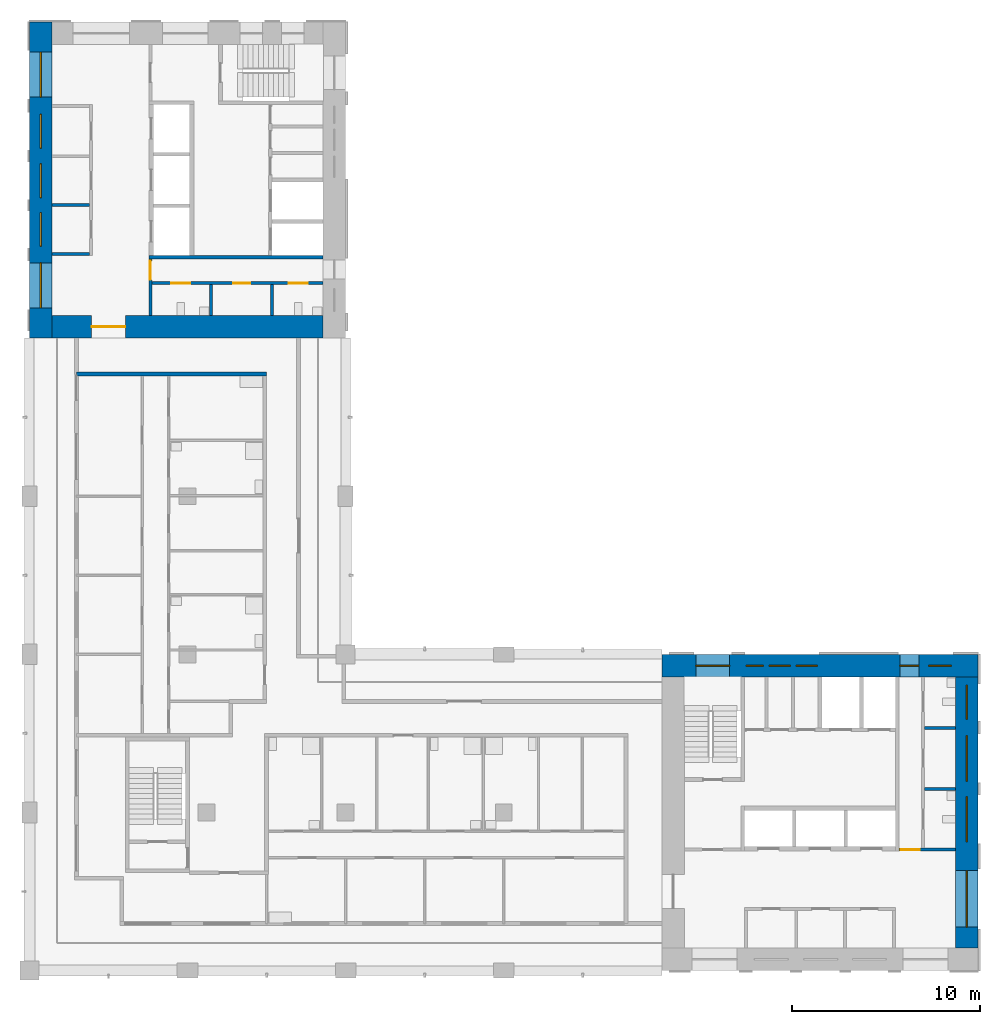
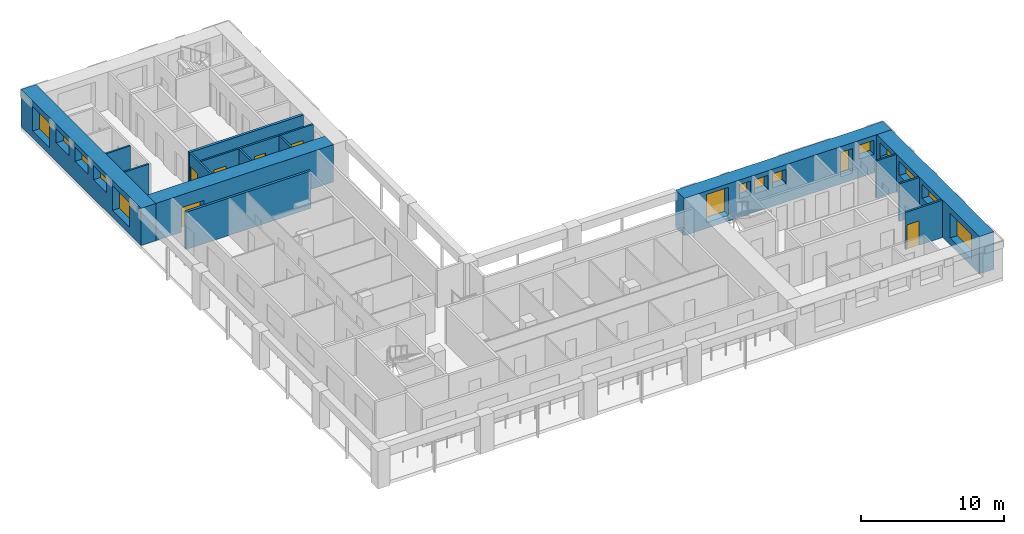
# One storey, part 5 of 10: 15 walls, 15 windows, 6 doors, 21 openings.
"""IFC4 building model written with IfcOpenShell, lengths in metres."""

from ifc_helpers import new_model, si_unit, direction, frame, frame_2d, origin, place, context, subcontext, project, spatial, rectangle, extrude, material, layer, layer_set, type_object, element, fill, save


model = new_model("IFC4")

# Units and contexts
model_context = context("Model", 3, precision=1e-05, world=origin(), true_north=direction((0.0, 1.0)))
body_context = subcontext(model_context, "Body", "Model", "MODEL_VIEW")
ifc_project = project(units=[si_unit("LENGTHUNIT", "METRE"), si_unit("AREAUNIT", "SQUARE_METRE"), si_unit("VOLUMEUNIT", "CUBIC_METRE"), si_unit("PLANEANGLEUNIT", "RADIAN"), si_unit("MASSUNIT", "GRAM", prefix="KILO")], contexts=[model_context])

# Site, building, storey
site_placement = place(None, origin())
site = spatial("IfcSite", under=ifc_project, at=site_placement, CompositionType="ELEMENT")
building_placement = place(site_placement, origin())
building = spatial("IfcBuilding", under=site, at=building_placement, Name="Vermilion Gate Residences", CompositionType="ELEMENT")
storey_placement = place(building_placement, frame((0.0, 0.0, 273.699951171875)))
storey = spatial("IfcBuildingStorey", under=building, at=storey_placement, Name="L72", CompositionType="ELEMENT", Elevation=273.699951171875)

# Wall, opening, door
ifc_material_1 = material(Name="Masonry blockwork", Category="masonry")
ifc_layer_1 = layer(ifc_material_1, 0.14990234375)
ifc_layer_set_1 = layer_set([ifc_layer_1], Name="BLOCKWORK PARTITION 150 EI 120")
wall_type_1 = type_object("IfcWallType", Name="BLOCKWORK PARTITION 150 EI 120", PredefinedType="PARTITIONING", material=ifc_layer_set_1)
wall_1_placement = place(storey_placement, frame((54.60009765625, 14.824951171875, 0.0), z_axis=(0.0, 0.0, 1.0), x_axis=(1.0, 0.0, 0.0)))
wall_1 = element("IfcWall", 1, at=wall_1_placement, inside=storey, type_object=wall_type_1, Name="Core room partition A72-ES-S", PredefinedType="PARTITIONING", context=body_context, shape_type="SweptSolid", body=[
    extrude(rectangle(XDim=3.0, YDim=0.14990234375, at=frame_2d((1.5, 0.0))), origin(), (0.0, 0.0, 1.0), 3.199951171875),
])
opening_1_placement = place(wall_1_placement, frame((0.10009765625, 0.0, 0.0)))
opening_1 = element("IfcOpeningElement", 2, at=opening_1_placement, cuts=wall_1, Name="Opening DK72015", PredefinedType="OPENING", context=body_context, shape_type="SweptSolid", body=[
    extrude(rectangle(XDim=1.0, YDim=2.10009765625, at=frame_2d((0.5, 1.050048828125))), frame((0.0, 0.0849609375, 0.0), z_axis=(0.0, -1.0, 0.0), x_axis=(1.0, 0.0, 0.0)), (0.0, 0.0, 1.0), 0.169921875),
])
ifc_material_2 = material(Name="Steel", Category="steel")
door_type_1 = type_object("IfcDoorType", Name="FIRE DOOR FD60 1000 X 2100", OperationType="SINGLE_SWING_LEFT", PredefinedType="DOOR", material=ifc_material_2)
door_1_placement = place(opening_1_placement, frame((1.0, 0.0, 0.0), z_axis=(0.0, 0.0, 1.0), x_axis=(-1.0, 0.0, 0.0)))
door_1 = element("IfcDoor", 3, at=door_1_placement, inside=storey, type_object=door_type_1, Name="Service corridor door A72", OperationType="SINGLE_SWING_LEFT", OverallHeight=2.10009765625, OverallWidth=1.0, PredefinedType="DOOR", context=body_context, shape_type="SweptSolid", body=[
    extrude(rectangle(XDim=1.0, YDim=2.10009765625, at=frame_2d((0.5, 1.050048828125))), frame((0.0, 0.02490234375, 0.0), z_axis=(0.0, -1.0, 0.0), x_axis=(1.0, 0.0, 0.0)), (0.0, 0.0, 1.0), 0.050048828125),
])
fill(opening_1, door_1)

# Walls
for number, where, z_axis, x_axis, name in (
    (4, (55.949951171875, 18.054931640625, 0.0), (0.0, 0.0, 1.0), (1.0, 0.0, 0.0), "Core room partition A72-ES-P0"),
    (5, (55.949951171875, 21.284912109375, 0.0), (0.0, 0.0, 1.0), (1.0, 0.0, 0.0), "Core room partition A72-ES-P1"),
):
    element("IfcWall", number, at=place(storey_placement, frame(where, z_axis=z_axis, x_axis=x_axis)), inside=storey, type_object=wall_type_1, Name=name, PredefinedType="PARTITIONING", context=body_context, shape_type="SweptSolid", body=[
        extrude(rectangle(XDim=1.650146484375, YDim=0.14990234375, at=frame_2d((0.8251953125, 0.0))), origin(), (0.0, 0.0, 1.0), 3.199951171875),
    ])
for number, where, z_axis, x_axis, name in (
    (6, (9.60009765625, 46.47509765625, 0.0), (0.0, 0.0, 1.0), (1.0, 0.0, 0.0), "Core room partition B72-RW-E"),
    (7, (9.60009765625, 49.06689453125, 0.0), (0.0, 0.0, 1.0), (1.0, 0.0, 0.0), "Core room partition B72-SR-P1"),
):
    element("IfcWall", number, at=place(storey_placement, frame(where, z_axis=z_axis, x_axis=x_axis)), inside=storey, type_object=wall_type_1, Name=name, PredefinedType="PARTITIONING", context=body_context, shape_type="SweptSolid", body=[
        extrude(rectangle(XDim=2.0, YDim=0.14990234375, at=frame_2d((1.0, 0.0))), origin(), (0.0, 0.0, 1.0), 3.199951171875),
    ])

# Wall, opening, door
wall_2_placement = place(storey_placement, frame((14.824951171875, 46.199951171875, 0.0), z_axis=(0.0, 0.0, 1.0), x_axis=(0.0, -1.0, 0.0)))
wall_2 = element("IfcWall", 8, at=wall_2_placement, inside=storey, type_object=wall_type_1, Name="Core room partition B72-ES-S", PredefinedType="PARTITIONING", context=body_context, shape_type="SweptSolid", body=[
    extrude(rectangle(XDim=3.0, YDim=0.14990234375, at=frame_2d((1.5, 0.0))), origin(), (0.0, 0.0, 1.0), 3.199951171875),
])
opening_2_placement = place(wall_2_placement, frame((0.10009765625, 0.0, 0.0)))
opening_2 = element("IfcOpeningElement", 9, at=opening_2_placement, cuts=wall_2, Name="Opening DK72115", PredefinedType="OPENING", context=body_context, shape_type="SweptSolid", body=[
    extrude(rectangle(XDim=1.0, YDim=2.10009765625, at=frame_2d((0.5, 1.050048828125))), frame((0.0, 0.0849609375, 0.0), z_axis=(0.0, -1.0, 0.0), x_axis=(1.0, 0.0, 0.0)), (0.0, 0.0, 1.0), 0.169921875),
])
door_2_placement = place(opening_2_placement, frame((1.0, 0.0, 0.0), z_axis=(0.0, 0.0, 1.0), x_axis=(-1.0, 0.0, 0.0)))
door_2 = element("IfcDoor", 10, at=door_2_placement, inside=storey, type_object=door_type_1, Name="Service corridor door B72", OperationType="SINGLE_SWING_LEFT", OverallHeight=2.10009765625, OverallWidth=1.0, PredefinedType="DOOR", context=body_context, shape_type="SweptSolid", body=[
    extrude(rectangle(XDim=1.0, YDim=2.10009765625, at=frame_2d((0.5, 1.050048828125))), frame((0.0, 0.02490234375, 0.0), z_axis=(0.0, -1.0, 0.0), x_axis=(1.0, 0.0, 0.0)), (0.0, 0.0, 1.0), 0.050048828125),
])
fill(opening_2, door_2)

# Walls
for number, where, z_axis, x_axis, name in (
    (11, (18.054931640625, 44.85009765625, 0.0), (0.0, 0.0, 1.0), (0.0, -1.0, 0.0), "Core room partition B72-ES-P0"),
    (12, (21.284912109375, 44.85009765625, 0.0), (0.0, 0.0, 1.0), (0.0, -1.0, 0.0), "Core room partition B72-ES-P1"),
):
    element("IfcWall", number, at=place(storey_placement, frame(where, z_axis=z_axis, x_axis=x_axis)), inside=storey, type_object=wall_type_1, Name=name, PredefinedType="PARTITIONING", context=body_context, shape_type="SweptSolid", body=[
        extrude(rectangle(XDim=1.650146484375, YDim=0.14990234375, at=frame_2d((0.8251953125, 0.0))), origin(), (0.0, 0.0, 1.0), 3.199951171875),
    ])

# Wall, openings, doors
wall_3_placement = place(storey_placement, frame((14.89990234375, 44.925048828125, 0.0), z_axis=(0.0, 0.0, 1.0), x_axis=(1.0, 0.0, 0.0)))
wall_3 = element("IfcWall", 13, at=wall_3_placement, inside=storey, type_object=wall_type_1, Name="Core room partition B72-ES-W", PredefinedType="PARTITIONING", context=body_context, shape_type="SweptSolid", body=[
    extrude(rectangle(XDim=9.10009765625, YDim=0.14990234375, at=frame_2d((4.550048828125, 0.0))), origin(), (0.0, 0.0, 1.0), 3.199951171875),
])
opening_3_placement = place(wall_3_placement, frame((1.0400390625, 0.0, 0.0)))
opening_3 = element("IfcOpeningElement", 14, at=opening_3_placement, cuts=wall_3, Name="Opening DK72116", PredefinedType="OPENING", context=body_context, shape_type="SweptSolid", body=[
    extrude(rectangle(XDim=1.0, YDim=2.10009765625, at=frame_2d((0.5, 1.050048828125))), frame((0.0, 0.0849609375, 0.0), z_axis=(0.0, -1.0, 0.0), x_axis=(1.0, 0.0, 0.0)), (0.0, 0.0, 1.0), 0.169921875),
])
opening_4_placement = place(wall_3_placement, frame((4.320068359375, 0.0, 0.0)))
opening_4 = element("IfcOpeningElement", 15, at=opening_4_placement, cuts=wall_3, Name="Opening DK72117", PredefinedType="OPENING", context=body_context, shape_type="SweptSolid", body=[
    extrude(rectangle(XDim=0.89990234375, YDim=2.10009765625, at=frame_2d((0.449951171875, 1.050048828125))), frame((0.0, 0.0849609375, 0.0), z_axis=(0.0, -1.0, 0.0), x_axis=(1.0, 0.0, 0.0)), (0.0, 0.0, 1.0), 0.169921875),
])
opening_5_placement = place(wall_3_placement, frame((7.280029296875, 0.0, 0.0)))
opening_5 = element("IfcOpeningElement", 16, at=opening_5_placement, cuts=wall_3, Name="Opening DK72118", PredefinedType="OPENING", context=body_context, shape_type="SweptSolid", body=[
    extrude(rectangle(XDim=1.0, YDim=2.10009765625, at=frame_2d((0.5, 1.050048828125))), frame((0.0, 0.0849609375, 0.0), z_axis=(0.0, -1.0, 0.0), x_axis=(1.0, 0.0, 0.0)), (0.0, 0.0, 1.0), 0.169921875),
])
door_3_placement = place(opening_3_placement, frame((1.0, 0.0, 0.0), z_axis=(0.0, 0.0, 1.0), x_axis=(-1.0, 0.0, 0.0)))
door_3 = element("IfcDoor", 17, at=door_3_placement, inside=storey, type_object=door_type_1, Name="Accessible WC B72", OperationType="SINGLE_SWING_LEFT", OverallHeight=2.10009765625, OverallWidth=1.0, PredefinedType="DOOR", context=body_context, shape_type="SweptSolid", body=[
    extrude(rectangle(XDim=1.0, YDim=2.10009765625, at=frame_2d((0.5, 1.050048828125))), frame((0.0, 0.02490234375, 0.0), z_axis=(0.0, -1.0, 0.0), x_axis=(1.0, 0.0, 0.0)), (0.0, 0.0, 1.0), 0.050048828125),
])
fill(opening_3, door_3)
door_4_placement = place(opening_5_placement, frame((1.0, 0.0, 0.0), z_axis=(0.0, 0.0, 1.0), x_axis=(-1.0, 0.0, 0.0)))
door_4 = element("IfcDoor", 18, at=door_4_placement, inside=storey, type_object=door_type_1, Name="Accessible WC B72", OperationType="SINGLE_SWING_RIGHT", OverallHeight=2.10009765625, OverallWidth=1.0, PredefinedType="DOOR", context=body_context, shape_type="SweptSolid", body=[
    extrude(rectangle(XDim=1.0, YDim=2.10009765625, at=frame_2d((0.5, 1.050048828125))), frame((0.0, 0.02490234375, 0.0), z_axis=(0.0, -1.0, 0.0), x_axis=(1.0, 0.0, 0.0)), (0.0, 0.0, 1.0), 0.050048828125),
])
fill(opening_5, door_4)
ifc_material_3 = material(Name="Steel", Category="steel")
door_type_2 = type_object("IfcDoorType", Name="SERVICE ROOM DOOR FD60 900 X 2100", OperationType="SINGLE_SWING_LEFT", PredefinedType="DOOR", material=ifc_material_3)
door_5_placement = place(opening_4_placement, frame((0.89990234375, 0.0, 0.0), z_axis=(0.0, 0.0, 1.0), x_axis=(-1.0, 0.0, 0.0)))
door_5 = element("IfcDoor", 19, at=door_5_placement, inside=storey, type_object=door_type_2, Name="Communications room B72", OperationType="SINGLE_SWING_RIGHT", OverallHeight=2.10009765625, OverallWidth=0.89990234375, PredefinedType="DOOR", context=body_context, shape_type="SweptSolid", body=[
    extrude(rectangle(XDim=0.89990234375, YDim=2.10009765625, at=frame_2d((0.449951171875, 1.050048828125))), frame((0.0, 0.02490234375, 0.0), z_axis=(0.0, -1.0, 0.0), x_axis=(1.0, 0.0, 0.0)), (0.0, 0.0, 1.0), 0.050048828125),
])
fill(opening_4, door_5)

# Walls
ifc_material_4 = material(Name="Fire-rated plasterboard on steel studs", Category="steel")
ifc_layer_2 = layer(ifc_material_4, 0.199951171875)
ifc_layer_set_2 = layer_set([ifc_layer_2], Name="PARTY WALL 200 EI 120")
wall_type_2 = type_object("IfcWallType", Name="PARTY WALL 200 EI 120", PredefinedType="PARTITIONING", material=ifc_layer_set_2)
wall_4_placement = place(storey_placement, frame((10.89990234375, 40.10009765625, 0.0), z_axis=(0.0, 0.0, 1.0), x_axis=(1.0, 0.0, 0.0)))
element("IfcWall", 20, at=wall_4_placement, inside=storey, type_object=wall_type_2, Name="Party and corridor wall", PredefinedType="PARTITIONING", context=body_context, shape_type="SweptSolid", body=[
    extrude(rectangle(XDim=10.10009765625, YDim=0.199951171875, at=frame_2d((5.050048828125, 0.0))), origin(), (0.0, 0.0, 1.0), 3.199951171875),
])
ifc_material_5 = material(Name="Concrete C60", Category="concrete")
ifc_layer_3 = layer(ifc_material_5, 0.199951171875)
ifc_layer_set_3 = layer_set([ifc_layer_3], Name="RC CORE INTERNAL WALL 200 C60")
wall_type_3 = type_object("IfcWallType", Name="RC CORE INTERNAL WALL 200 C60", PredefinedType="SHEAR", material=ifc_layer_set_3)
wall_5_placement = place(storey_placement, frame((14.75, 46.300048828125, 0.0), z_axis=(0.0, 0.0, 1.0), x_axis=(1.0, 0.0, 0.0)))
element("IfcWall", 21, at=wall_5_placement, inside=storey, type_object=wall_type_3, Name="Core internal wall B72-EDIV", PredefinedType="SHEAR", context=body_context, shape_type="SweptSolid", body=[
    extrude(rectangle(XDim=9.25, YDim=0.199951171875, at=frame_2d((4.625, 0.0))), origin(), (0.0, 0.0, 1.0), 3.199951171875),
])

# Wall, opening, door
ifc_material_6 = material(Name="Concrete C50", Category="concrete")
ifc_layer_4 = layer(ifc_material_6, 1.199951171875)
ifc_layer_set_4 = layer_set([ifc_layer_4], Name="RC CORE WALL 1200 C50")
wall_type_4 = type_object("IfcWallType", Name="RC CORE WALL 1200 C50", PredefinedType="SHEAR", material=ifc_layer_set_4)
wall_6_placement = place(storey_placement, frame((9.60009765625, 42.60009765625, 0.0), z_axis=(0.0, 0.0, 1.0), x_axis=(1.0, 0.0, 0.0)))
wall_6 = element("IfcWall", 22, at=wall_6_placement, inside=storey, type_object=wall_type_4, Name="Core wall B72-OUT-BK", PredefinedType="SHEAR", context=body_context, shape_type="SweptSolid", body=[
    extrude(rectangle(XDim=14.39990234375, YDim=1.199951171875, at=frame_2d((7.199951171875, 0.0))), origin(), (0.0, 0.0, 1.0), 3.199951171875),
])
opening_6_placement = place(wall_6_placement, frame((2.10009765625, 0.0, 0.0)))
opening_6 = element("IfcOpeningElement", 23, at=opening_6_placement, cuts=wall_6, Name="Opening DK72101", PredefinedType="OPENING", context=body_context, shape_type="SweptSolid", body=[
    extrude(rectangle(XDim=1.800048828125, YDim=2.10009765625, at=frame_2d((0.89990234375, 1.050048828125))), frame((0.0, 0.60986328125, 0.0), z_axis=(0.0, -1.0, 0.0), x_axis=(1.0, 0.0, 0.0)), (0.0, 0.0, 1.0), 1.219970703125),
])
ifc_material_7 = material(Name="Steel", Category="steel")
door_type_3 = type_object("IfcDoorType", Name="CORE LOBBY DOOR FD60 1800 X 2100", OperationType="DOUBLE_DOOR_SINGLE_SWING", PredefinedType="DOOR", material=ifc_material_7)
door_6_placement = place(opening_6_placement, frame((1.800048828125, 0.0, 0.0), z_axis=(0.0, 0.0, 1.0), x_axis=(-1.0, 0.0, 0.0)))
door_6 = element("IfcDoor", 24, at=door_6_placement, inside=storey, type_object=door_type_3, Name="Core lobby door B72", OperationType="DOUBLE_DOOR_SINGLE_SWING", OverallHeight=2.10009765625, OverallWidth=1.800048828125, PredefinedType="DOOR", context=body_context, shape_type="SweptSolid", body=[
    extrude(rectangle(XDim=1.800048828125, YDim=2.10009765625, at=frame_2d((0.89990234375, 1.050048828125))), frame((0.0, 0.02490234375, 0.0), z_axis=(0.0, -1.0, 0.0), x_axis=(1.0, 0.0, 0.0)), (0.0, 0.0, 1.0), 0.050048828125),
])
fill(opening_6, door_6)

# Wall, openings, windows
ifc_material_8 = material(Name="Concrete C50 red-oxide pigmented", Category="concrete")
ifc_layer_5 = layer(ifc_material_8, 1.199951171875)
ifc_layer_set_5 = layer_set([ifc_layer_5], Name="RC CORE WALL 1200 C50 RED OXIDE")
wall_type_5 = type_object("IfcWallType", Name="RC CORE WALL 1200 C50 RED OXIDE", PredefinedType="SHEAR", material=ifc_layer_set_5)
wall_7_placement = place(storey_placement, frame((42.0, 24.60009765625, 0.0), z_axis=(0.0, 0.0, 1.0), x_axis=(1.0, 0.0, 0.0)))
wall_7 = element("IfcWall", 25, at=wall_7_placement, inside=storey, type_object=wall_type_5, Name="Core wall A72-OUT-B1", PredefinedType="SHEAR", context=body_context, shape_type="SweptSolid", body=[
    extrude(rectangle(XDim=16.800048828125, YDim=1.199951171875, at=frame_2d((8.39990234375, 0.0))), origin(), (0.0, 0.0, 1.0), 3.199951171875),
])
opening_7_placement = place(wall_7_placement, frame((1.800048828125, 0.0, 0.5)))
opening_7 = element("IfcOpeningElement", 26, at=opening_7_placement, cuts=wall_7, Name="Opening WKA7206", PredefinedType="OPENING", context=body_context, shape_type="SweptSolid", body=[
    extrude(rectangle(XDim=1.800048828125, YDim=2.39990234375, at=frame_2d((0.89990234375, 1.199951171875))), frame((0.0, 0.60986328125, 0.0), z_axis=(0.0, -1.0, 0.0), x_axis=(1.0, 0.0, 0.0)), (0.0, 0.0, 1.0), 1.219970703125),
])
opening_8_placement = place(wall_7_placement, frame((4.489990234375, 0.0, 1.60009765625)))
opening_8 = element("IfcOpeningElement", 27, at=opening_8_placement, cuts=wall_7, Name="Opening WKA7207", PredefinedType="OPENING", context=body_context, shape_type="SweptSolid", body=[
    extrude(rectangle(XDim=0.89990234375, YDim=1.199951171875, at=frame_2d((0.449951171875, 0.60009765625))), frame((0.0, 0.60986328125, 0.0), z_axis=(0.0, -1.0, 0.0), x_axis=(1.0, 0.0, 0.0)), (0.0, 0.0, 1.0), 1.219970703125),
])
opening_9_placement = place(wall_7_placement, frame((5.7099609375, 0.0, 1.60009765625)))
opening_9 = element("IfcOpeningElement", 28, at=opening_9_placement, cuts=wall_7, Name="Opening WKA7208", PredefinedType="OPENING", context=body_context, shape_type="SweptSolid", body=[
    extrude(rectangle(XDim=1.10009765625, YDim=1.199951171875, at=frame_2d((0.550048828125, 0.60009765625))), frame((0.0, 0.60986328125, 0.0), z_axis=(0.0, -1.0, 0.0), x_axis=(1.0, 0.0, 0.0)), (0.0, 0.0, 1.0), 1.219970703125),
])
opening_10_placement = place(wall_7_placement, frame((7.14990234375, 0.0, 1.60009765625)))
opening_10 = element("IfcOpeningElement", 29, at=opening_10_placement, cuts=wall_7, Name="Opening WKA7209", PredefinedType="OPENING", context=body_context, shape_type="SweptSolid", body=[
    extrude(rectangle(XDim=1.10009765625, YDim=1.199951171875, at=frame_2d((0.550048828125, 0.60009765625))), frame((0.0, 0.60986328125, 0.0), z_axis=(0.0, -1.0, 0.0), x_axis=(1.0, 0.0, 0.0)), (0.0, 0.0, 1.0), 1.219970703125),
])
opening_11_placement = place(wall_7_placement, frame((12.64990234375, 0.0, 0.60009765625)))
opening_11 = element("IfcOpeningElement", 30, at=opening_11_placement, cuts=wall_7, Name="Opening WKA7210", PredefinedType="OPENING", context=body_context, shape_type="SweptSolid", body=[
    extrude(rectangle(XDim=1.0, YDim=2.10009765625, at=frame_2d((0.5, 1.050048828125))), frame((0.0, 0.60986328125, 0.0), z_axis=(0.0, -1.0, 0.0), x_axis=(1.0, 0.0, 0.0)), (0.0, 0.0, 1.0), 1.219970703125),
])
opening_12_placement = place(wall_7_placement, frame((14.175048828125, 0.0, 1.60009765625)))
opening_12 = element("IfcOpeningElement", 31, at=opening_12_placement, cuts=wall_7, Name="Opening WKA7211", PredefinedType="OPENING", context=body_context, shape_type="SweptSolid", body=[
    extrude(rectangle(XDim=1.199951171875, YDim=1.199951171875, at=frame_2d((0.60009765625, 0.60009765625))), frame((0.0, 0.60986328125, 0.0), z_axis=(0.0, -1.0, 0.0), x_axis=(1.0, 0.0, 0.0)), (0.0, 0.0, 1.0), 1.219970703125),
])
ifc_material_9 = material(Name="Aluminium and clear glass", Category="aluminium")
window_type_1 = type_object("IfcWindowType", Name="CORE CORRIDOR WINDOW 1000 X 2100", PartitioningType="SINGLE_PANEL", PredefinedType="WINDOW", material=ifc_material_9)
window_1_placement = place(opening_11_placement, origin())
window_1 = element("IfcWindow", 32, at=window_1_placement, inside=storey, type_object=window_type_1, Name="Core corridor window", OverallHeight=2.10009765625, OverallWidth=1.0, PartitioningType="SINGLE_PANEL", PredefinedType="WINDOW", context=body_context, shape_type="SweptSolid", body=[
    extrude(rectangle(XDim=1.0, YDim=2.10009765625, at=frame_2d((0.5, 1.050048828125))), frame((0.0, 0.030029296875, 0.0), z_axis=(0.0, -1.0, 0.0), x_axis=(1.0, 0.0, 0.0)), (0.0, 0.0, 1.0), 0.06005859375),
])
fill(opening_11, window_1)
ifc_material_10 = material(Name="Aluminium frame with louvre blades", Category="aluminium")
window_type_2 = type_object("IfcWindowType", Name="CORE LOUVRE 1100 X 1200", PartitioningType="SINGLE_PANEL", PredefinedType="WINDOW", material=ifc_material_10)
window_2_placement = place(opening_9_placement, origin())
window_2 = element("IfcWindow", 33, at=window_2_placement, inside=storey, type_object=window_type_2, Name="Core louvre", OverallHeight=1.199951171875, OverallWidth=1.10009765625, PartitioningType="SINGLE_PANEL", PredefinedType="WINDOW", context=body_context, shape_type="SweptSolid", body=[
    extrude(rectangle(XDim=1.10009765625, YDim=1.199951171875, at=frame_2d((0.550048828125, 0.60009765625))), frame((0.0, 0.030029296875, 0.0), z_axis=(0.0, -1.0, 0.0), x_axis=(1.0, 0.0, 0.0)), (0.0, 0.0, 1.0), 0.06005859375),
])
fill(opening_9, window_2)
window_3_placement = place(opening_10_placement, origin())
window_3 = element("IfcWindow", 34, at=window_3_placement, inside=storey, type_object=window_type_2, Name="Core louvre", OverallHeight=1.199951171875, OverallWidth=1.10009765625, PartitioningType="SINGLE_PANEL", PredefinedType="WINDOW", context=body_context, shape_type="SweptSolid", body=[
    extrude(rectangle(XDim=1.10009765625, YDim=1.199951171875, at=frame_2d((0.550048828125, 0.60009765625))), frame((0.0, 0.030029296875, 0.0), z_axis=(0.0, -1.0, 0.0), x_axis=(1.0, 0.0, 0.0)), (0.0, 0.0, 1.0), 0.06005859375),
])
fill(opening_10, window_3)
ifc_material_11 = material(Name="Aluminium frame with louvre blades", Category="aluminium")
window_type_3 = type_object("IfcWindowType", Name="CORE LOUVRE 1200 X 1200", PartitioningType="SINGLE_PANEL", PredefinedType="WINDOW", material=ifc_material_11)
window_4_placement = place(opening_12_placement, origin())
window_4 = element("IfcWindow", 35, at=window_4_placement, inside=storey, type_object=window_type_3, Name="Core louvre", OverallHeight=1.199951171875, OverallWidth=1.199951171875, PartitioningType="SINGLE_PANEL", PredefinedType="WINDOW", context=body_context, shape_type="SweptSolid", body=[
    extrude(rectangle(XDim=1.199951171875, YDim=1.199951171875, at=frame_2d((0.60009765625, 0.60009765625))), frame((0.0, 0.030029296875, 0.0), z_axis=(0.0, -1.0, 0.0), x_axis=(1.0, 0.0, 0.0)), (0.0, 0.0, 1.0), 0.06005859375),
])
fill(opening_12, window_4)
ifc_material_12 = material(Name="Aluminium frame with louvre blades", Category="aluminium")
window_type_4 = type_object("IfcWindowType", Name="CORE LOUVRE 900 X 1200", PartitioningType="SINGLE_PANEL", PredefinedType="WINDOW", material=ifc_material_12)
window_5_placement = place(opening_8_placement, origin())
window_5 = element("IfcWindow", 36, at=window_5_placement, inside=storey, type_object=window_type_4, Name="Core louvre", OverallHeight=1.199951171875, OverallWidth=0.89990234375, PartitioningType="SINGLE_PANEL", PredefinedType="WINDOW", context=body_context, shape_type="SweptSolid", body=[
    extrude(rectangle(XDim=0.89990234375, YDim=1.199951171875, at=frame_2d((0.449951171875, 0.60009765625))), frame((0.0, 0.030029296875, 0.0), z_axis=(0.0, -1.0, 0.0), x_axis=(1.0, 0.0, 0.0)), (0.0, 0.0, 1.0), 0.06005859375),
])
fill(opening_8, window_5)
ifc_material_13 = material(Name="Aluminium and clear glass", Category="aluminium")
window_type_5 = type_object("IfcWindowType", Name="CORE STAIR WINDOW 1800 X 2400", PartitioningType="SINGLE_PANEL", PredefinedType="WINDOW", material=ifc_material_13)
window_6_placement = place(opening_7_placement, origin())
window_6 = element("IfcWindow", 37, at=window_6_placement, inside=storey, type_object=window_type_5, Name="Core stair window", OverallHeight=2.39990234375, OverallWidth=1.800048828125, PartitioningType="SINGLE_PANEL", PredefinedType="WINDOW", context=body_context, shape_type="SweptSolid", body=[
    extrude(rectangle(XDim=1.800048828125, YDim=2.39990234375, at=frame_2d((0.89990234375, 1.199951171875))), frame((0.0, 0.030029296875, 0.0), z_axis=(0.0, -1.0, 0.0), x_axis=(1.0, 0.0, 0.0)), (0.0, 0.0, 1.0), 0.06005859375),
])
fill(opening_7, window_6)

wall_8_placement = place(storey_placement, frame((58.199951171875, 9.60009765625, 0.0), z_axis=(0.0, 0.0, 1.0), x_axis=(0.0, 1.0, 0.0)))
wall_8 = element("IfcWall", 38, at=wall_8_placement, inside=storey, type_object=wall_type_5, Name="Core wall A72-OUT-BK", PredefinedType="SHEAR", context=body_context, shape_type="SweptSolid", body=[
    extrude(rectangle(XDim=14.39990234375, YDim=1.199951171875, at=frame_2d((7.199951171875, 0.0))), origin(), (0.0, 0.0, 1.0), 3.199951171875),
])
opening_13_placement = place(wall_8_placement, frame((1.10498046875, 0.0, 0.60009765625)))
opening_13 = element("IfcOpeningElement", 39, at=opening_13_placement, cuts=wall_8, Name="Opening WKA7212", PredefinedType="OPENING", context=body_context, shape_type="SweptSolid", body=[
    extrude(rectangle(XDim=3.0, YDim=2.10009765625, at=frame_2d((1.5, 1.050048828125))), frame((0.0, 0.60986328125, 0.0), z_axis=(0.0, -1.0, 0.0), x_axis=(1.0, 0.0, 0.0)), (0.0, 0.0, 1.0), 1.219970703125),
])
opening_14_placement = place(wall_8_placement, frame((5.639892578125, 0.0, 1.60009765625)))
opening_14 = element("IfcOpeningElement", 40, at=opening_14_placement, cuts=wall_8, Name="Opening WKA7213", PredefinedType="OPENING", context=body_context, shape_type="SweptSolid", body=[
    extrude(rectangle(XDim=2.39990234375, YDim=1.199951171875, at=frame_2d((1.199951171875, 0.60009765625))), frame((0.0, 0.60986328125, 0.0), z_axis=(0.0, -1.0, 0.0), x_axis=(1.0, 0.0, 0.0)), (0.0, 0.0, 1.0), 1.219970703125),
])
opening_15_placement = place(wall_8_placement, frame((8.8701171875, 0.0, 1.60009765625)))
opening_15 = element("IfcOpeningElement", 41, at=opening_15_placement, cuts=wall_8, Name="Opening WKA7214", PredefinedType="OPENING", context=body_context, shape_type="SweptSolid", body=[
    extrude(rectangle(XDim=2.39990234375, YDim=1.199951171875, at=frame_2d((1.199951171875, 0.60009765625))), frame((0.0, 0.60986328125, 0.0), z_axis=(0.0, -1.0, 0.0), x_axis=(1.0, 0.0, 0.0)), (0.0, 0.0, 1.0), 1.219970703125),
])
opening_16_placement = place(wall_8_placement, frame((12.14990234375, 0.0, 1.60009765625)))
opening_16 = element("IfcOpeningElement", 42, at=opening_16_placement, cuts=wall_8, Name="Opening WKA7215", PredefinedType="OPENING", context=body_context, shape_type="SweptSolid", body=[
    extrude(rectangle(XDim=1.800048828125, YDim=1.199951171875, at=frame_2d((0.89990234375, 0.60009765625))), frame((0.0, 0.60986328125, 0.0), z_axis=(0.0, -1.0, 0.0), x_axis=(1.0, 0.0, 0.0)), (0.0, 0.0, 1.0), 1.219970703125),
])
ifc_material_14 = material(Name="Aluminium and clear glass", Category="aluminium")
window_type_6 = type_object("IfcWindowType", Name="CORE LOBBY WINDOW 3000 X 2100", PartitioningType="SINGLE_PANEL", PredefinedType="WINDOW", material=ifc_material_14)
window_7_placement = place(opening_13_placement, origin())
window_7 = element("IfcWindow", 43, at=window_7_placement, inside=storey, type_object=window_type_6, Name="Core lobby window", OverallHeight=2.10009765625, OverallWidth=3.0, PartitioningType="SINGLE_PANEL", PredefinedType="WINDOW", context=body_context, shape_type="SweptSolid", body=[
    extrude(rectangle(XDim=3.0, YDim=2.10009765625, at=frame_2d((1.5, 1.050048828125))), frame((0.0, 0.030029296875, 0.0), z_axis=(0.0, -1.0, 0.0), x_axis=(1.0, 0.0, 0.0)), (0.0, 0.0, 1.0), 0.06005859375),
])
fill(opening_13, window_7)
ifc_material_15 = material(Name="Aluminium frame with louvre blades", Category="aluminium")
window_type_7 = type_object("IfcWindowType", Name="CORE LOUVRE 1800 X 1200", PartitioningType="SINGLE_PANEL", PredefinedType="WINDOW", material=ifc_material_15)
window_8_placement = place(opening_16_placement, origin())
window_8 = element("IfcWindow", 44, at=window_8_placement, inside=storey, type_object=window_type_7, Name="Core louvre", OverallHeight=1.199951171875, OverallWidth=1.800048828125, PartitioningType="SINGLE_PANEL", PredefinedType="WINDOW", context=body_context, shape_type="SweptSolid", body=[
    extrude(rectangle(XDim=1.800048828125, YDim=1.199951171875, at=frame_2d((0.89990234375, 0.60009765625))), frame((0.0, 0.030029296875, 0.0), z_axis=(0.0, -1.0, 0.0), x_axis=(1.0, 0.0, 0.0)), (0.0, 0.0, 1.0), 0.06005859375),
])
fill(opening_16, window_8)
ifc_material_16 = material(Name="Aluminium frame with louvre blades", Category="aluminium")
window_type_8 = type_object("IfcWindowType", Name="CORE LOUVRE 2400 X 1200", PartitioningType="SINGLE_PANEL", PredefinedType="WINDOW", material=ifc_material_16)
window_9_placement = place(opening_14_placement, origin())
window_9 = element("IfcWindow", 45, at=window_9_placement, inside=storey, type_object=window_type_8, Name="Core louvre", OverallHeight=1.199951171875, OverallWidth=2.39990234375, PartitioningType="SINGLE_PANEL", PredefinedType="WINDOW", context=body_context, shape_type="SweptSolid", body=[
    extrude(rectangle(XDim=2.39990234375, YDim=1.199951171875, at=frame_2d((1.199951171875, 0.60009765625))), frame((0.0, 0.030029296875, 0.0), z_axis=(0.0, -1.0, 0.0), x_axis=(1.0, 0.0, 0.0)), (0.0, 0.0, 1.0), 0.06005859375),
])
fill(opening_14, window_9)
window_10_placement = place(opening_15_placement, origin())
window_10 = element("IfcWindow", 46, at=window_10_placement, inside=storey, type_object=window_type_8, Name="Core louvre", OverallHeight=1.199951171875, OverallWidth=2.39990234375, PartitioningType="SINGLE_PANEL", PredefinedType="WINDOW", context=body_context, shape_type="SweptSolid", body=[
    extrude(rectangle(XDim=2.39990234375, YDim=1.199951171875, at=frame_2d((1.199951171875, 0.60009765625))), frame((0.0, 0.030029296875, 0.0), z_axis=(0.0, -1.0, 0.0), x_axis=(1.0, 0.0, 0.0)), (0.0, 0.0, 1.0), 0.06005859375),
])
fill(opening_15, window_10)

wall_9_placement = place(storey_placement, frame((9.0, 58.800048828125, 0.0), z_axis=(0.0, 0.0, 1.0), x_axis=(0.0, -1.0, 0.0)))
wall_9 = element("IfcWall", 47, at=wall_9_placement, inside=storey, type_object=wall_type_5, Name="Core wall B72-OUT-B0", PredefinedType="SHEAR", context=body_context, shape_type="SweptSolid", body=[
    extrude(rectangle(XDim=16.800048828125, YDim=1.199951171875, at=frame_2d((8.39990234375, 0.0))), origin(), (0.0, 0.0, 1.0), 3.199951171875),
])
opening_17_placement = place(wall_9_placement, frame((1.60009765625, 0.0, 0.60009765625)))
opening_17 = element("IfcOpeningElement", 48, at=opening_17_placement, cuts=wall_9, Name="Opening WKB7201", PredefinedType="OPENING", context=body_context, shape_type="SweptSolid", body=[
    extrude(rectangle(XDim=2.39990234375, YDim=2.10009765625, at=frame_2d((1.199951171875, 1.050048828125))), frame((0.0, 0.60986328125, 0.0), z_axis=(0.0, -1.0, 0.0), x_axis=(1.0, 0.0, 0.0)), (0.0, 0.0, 1.0), 1.219970703125),
])
opening_18_placement = place(wall_9_placement, frame((4.907958984375, 0.0, 1.60009765625)))
opening_18 = element("IfcOpeningElement", 49, at=opening_18_placement, cuts=wall_9, Name="Opening WKB7202", PredefinedType="OPENING", context=body_context, shape_type="SweptSolid", body=[
    extrude(rectangle(XDim=1.800048828125, YDim=1.199951171875, at=frame_2d((0.89990234375, 0.60009765625))), frame((0.0, 0.60986328125, 0.0), z_axis=(0.0, -1.0, 0.0), x_axis=(1.0, 0.0, 0.0)), (0.0, 0.0, 1.0), 1.219970703125),
])
opening_19_placement = place(wall_9_placement, frame((7.537109375, 0.0, 1.60009765625)))
opening_19 = element("IfcOpeningElement", 50, at=opening_19_placement, cuts=wall_9, Name="Opening WKB7203", PredefinedType="OPENING", context=body_context, shape_type="SweptSolid", body=[
    extrude(rectangle(XDim=1.800048828125, YDim=1.199951171875, at=frame_2d((0.89990234375, 0.60009765625))), frame((0.0, 0.60986328125, 0.0), z_axis=(0.0, -1.0, 0.0), x_axis=(1.0, 0.0, 0.0)), (0.0, 0.0, 1.0), 1.219970703125),
])
opening_20_placement = place(wall_9_placement, frame((10.12890625, 0.0, 1.60009765625)))
opening_20 = element("IfcOpeningElement", 51, at=opening_20_placement, cuts=wall_9, Name="Opening WKB7204", PredefinedType="OPENING", context=body_context, shape_type="SweptSolid", body=[
    extrude(rectangle(XDim=1.800048828125, YDim=1.199951171875, at=frame_2d((0.89990234375, 0.60009765625))), frame((0.0, 0.60986328125, 0.0), z_axis=(0.0, -1.0, 0.0), x_axis=(1.0, 0.0, 0.0)), (0.0, 0.0, 1.0), 1.219970703125),
])
opening_21_placement = place(wall_9_placement, frame((12.800048828125, 0.0, 0.60009765625)))
opening_21 = element("IfcOpeningElement", 52, at=opening_21_placement, cuts=wall_9, Name="Opening WKB7205", PredefinedType="OPENING", context=body_context, shape_type="SweptSolid", body=[
    extrude(rectangle(XDim=2.39990234375, YDim=2.10009765625, at=frame_2d((1.199951171875, 1.050048828125))), frame((0.0, 0.60986328125, 0.0), z_axis=(0.0, -1.0, 0.0), x_axis=(1.0, 0.0, 0.0)), (0.0, 0.0, 1.0), 1.219970703125),
])
ifc_material_17 = material(Name="Aluminium and clear glass", Category="aluminium")
window_type_9 = type_object("IfcWindowType", Name="CORE LOBBY WINDOW 2400 X 2100", PartitioningType="SINGLE_PANEL", PredefinedType="WINDOW", material=ifc_material_17)
window_11_placement = place(opening_17_placement, origin())
window_11 = element("IfcWindow", 53, at=window_11_placement, inside=storey, type_object=window_type_9, Name="Core lobby window", OverallHeight=2.10009765625, OverallWidth=2.39990234375, PartitioningType="SINGLE_PANEL", PredefinedType="WINDOW", context=body_context, shape_type="SweptSolid", body=[
    extrude(rectangle(XDim=2.39990234375, YDim=2.10009765625, at=frame_2d((1.199951171875, 1.050048828125))), frame((0.0, 0.030029296875, 0.0), z_axis=(0.0, -1.0, 0.0), x_axis=(1.0, 0.0, 0.0)), (0.0, 0.0, 1.0), 0.06005859375),
])
fill(opening_17, window_11)
window_12_placement = place(opening_21_placement, origin())
window_12 = element("IfcWindow", 54, at=window_12_placement, inside=storey, type_object=window_type_9, Name="Core lobby window", OverallHeight=2.10009765625, OverallWidth=2.39990234375, PartitioningType="SINGLE_PANEL", PredefinedType="WINDOW", context=body_context, shape_type="SweptSolid", body=[
    extrude(rectangle(XDim=2.39990234375, YDim=2.10009765625, at=frame_2d((1.199951171875, 1.050048828125))), frame((0.0, 0.030029296875, 0.0), z_axis=(0.0, -1.0, 0.0), x_axis=(1.0, 0.0, 0.0)), (0.0, 0.0, 1.0), 0.06005859375),
])
fill(opening_21, window_12)
window_13_placement = place(opening_18_placement, origin())
window_13 = element("IfcWindow", 55, at=window_13_placement, inside=storey, type_object=window_type_7, Name="Core louvre", OverallHeight=1.199951171875, OverallWidth=1.800048828125, PartitioningType="SINGLE_PANEL", PredefinedType="WINDOW", context=body_context, shape_type="SweptSolid", body=[
    extrude(rectangle(XDim=1.800048828125, YDim=1.199951171875, at=frame_2d((0.89990234375, 0.60009765625))), frame((0.0, 0.030029296875, 0.0), z_axis=(0.0, -1.0, 0.0), x_axis=(1.0, 0.0, 0.0)), (0.0, 0.0, 1.0), 0.06005859375),
])
fill(opening_18, window_13)
window_14_placement = place(opening_19_placement, origin())
window_14 = element("IfcWindow", 56, at=window_14_placement, inside=storey, type_object=window_type_7, Name="Core louvre", OverallHeight=1.199951171875, OverallWidth=1.800048828125, PartitioningType="SINGLE_PANEL", PredefinedType="WINDOW", context=body_context, shape_type="SweptSolid", body=[
    extrude(rectangle(XDim=1.800048828125, YDim=1.199951171875, at=frame_2d((0.89990234375, 0.60009765625))), frame((0.0, 0.030029296875, 0.0), z_axis=(0.0, -1.0, 0.0), x_axis=(1.0, 0.0, 0.0)), (0.0, 0.0, 1.0), 0.06005859375),
])
fill(opening_19, window_14)
window_15_placement = place(opening_20_placement, origin())
window_15 = element("IfcWindow", 57, at=window_15_placement, inside=storey, type_object=window_type_7, Name="Core louvre", OverallHeight=1.199951171875, OverallWidth=1.800048828125, PartitioningType="SINGLE_PANEL", PredefinedType="WINDOW", context=body_context, shape_type="SweptSolid", body=[
    extrude(rectangle(XDim=1.800048828125, YDim=1.199951171875, at=frame_2d((0.89990234375, 0.60009765625))), frame((0.0, 0.030029296875, 0.0), z_axis=(0.0, -1.0, 0.0), x_axis=(1.0, 0.0, 0.0)), (0.0, 0.0, 1.0), 0.06005859375),
])
fill(opening_20, window_15)

save(model, "model.ifc")
